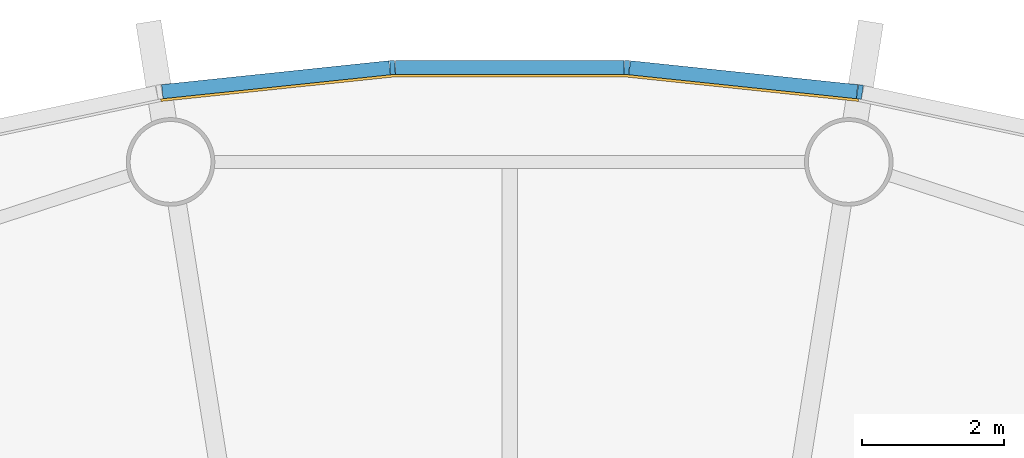
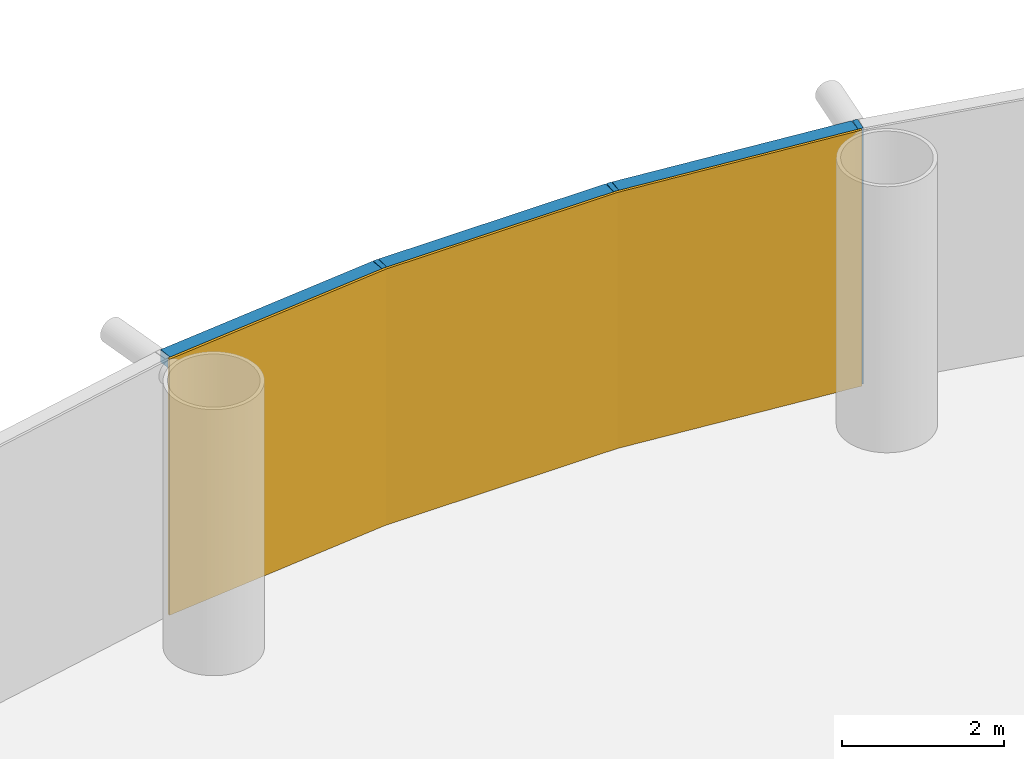
# One storey, part 10 of 12: 6 members, 1 curtain wall.
"""IFC4 building model written with IfcOpenShell, lengths in metres."""

from ifc_helpers import new_model, si_unit, direction, frame, origin, origin_2d, place, context, subcontext, project, spatial, polyline, rectangle, outline, extrude, material, layer, layer_set, material_profile, profile_set, type_object, element, aggregate, save


model = new_model("IFC4")

# Units and contexts
model_context = context("Model", 3, precision=1e-05, world=origin(), true_north=direction((0.0, 1.0)))
body_context = subcontext(model_context, "Body", "Model", "MODEL_VIEW")
ifc_project = project(units=[si_unit("LENGTHUNIT", "METRE"), si_unit("AREAUNIT", "SQUARE_METRE"), si_unit("VOLUMEUNIT", "CUBIC_METRE"), si_unit("PLANEANGLEUNIT", "RADIAN"), si_unit("MASSUNIT", "GRAM", prefix="KILO")], contexts=[model_context])

# Member
ifc_material_1 = material(Name="Anodised aluminium", Category="aluminium")
ifc_material_profile_1 = material_profile(ifc_material_1, rectangle(XDim=0.070068359375, YDim=0.199951171875, at=origin_2d()), Name="Mullion 70 x 200 mm anodised aluminium")
ifc_profile_set_1 = profile_set([ifc_material_profile_1], Name="Anodised aluminium")
member_type_1 = type_object("IfcMemberType", Name="Mullion 70 x 200 mm anodised aluminium", PredefinedType="MULLION", material=ifc_profile_set_1)
site_placement = place(None, origin())
building_placement = place(site_placement, origin())
storey_placement = place(building_placement, frame((0.0, 0.0, 128.0)))
member_1_placement = place(storey_placement, frame((94.943359375, 111.2109375, 0.0), z_axis=(0.0, 0.0, 1.0), x_axis=(-0.987688340595, 0.15643446504, 0.0)))
member_1 = element("IfcMember", 1, at=member_1_placement, type_object=member_type_1, Name="MULLION L29-12", PredefinedType="MULLION", context=body_context, shape_type="SweptSolid", body=[
    extrude(rectangle(XDim=0.070068359375, YDim=0.199951171875, at=origin_2d()), origin(), (0.0, 0.0, 1.0), 3.85009765625),
])

member_2_placement = place(storey_placement, frame((91.65380859375, 111.556640625, 0.0), z_axis=(0.0, 0.0, 1.0), x_axis=(-0.998629534755, 0.052335956243, 0.0)))
member_2 = element("IfcMember", 2, at=member_2_placement, type_object=member_type_1, Name="MULLION L29-13", PredefinedType="MULLION", context=body_context, shape_type="SweptSolid", body=[
    extrude(rectangle(XDim=0.070068359375, YDim=0.199951171875, at=origin_2d()), origin(), (0.0, 0.0, 1.0), 3.85009765625),
])

member_3_placement = place(storey_placement, frame((88.34619140625, 111.556640625, 0.0), z_axis=(0.0, 0.0, 1.0), x_axis=(-0.998629534755, -0.052335956243, 0.0)))
member_3 = element("IfcMember", 3, at=member_3_placement, type_object=member_type_1, Name="MULLION L29-14", PredefinedType="MULLION", context=body_context, shape_type="SweptSolid", body=[
    extrude(rectangle(XDim=0.070068359375, YDim=0.199951171875, at=origin_2d()), origin(), (0.0, 0.0, 1.0), 3.85009765625),
])

ifc_material_2 = material(Name="Anodised aluminium", Category="aluminium")
ifc_material_profile_2 = material_profile(ifc_material_2, rectangle(XDim=0.199951171875, YDim=0.18994140625, at=origin_2d()), Name="Transom 190 x 200 mm anodised aluminium")
ifc_profile_set_2 = profile_set([ifc_material_profile_2], Name="Anodised aluminium")
member_type_2 = type_object("IfcMemberType", Name="Transom 190 x 200 mm anodised aluminium", PredefinedType="USERDEFINED", material=ifc_profile_set_2)
member_4_placement = place(storey_placement, frame((94.9033203125, 111.21533203125, 3.7548828125), z_axis=(-0.994519537956, 0.104550890115, 0.0), x_axis=(-0.104550890115, -0.994519537956, 0.0)))
member_4 = element("IfcMember", 4, at=member_4_placement, type_object=member_type_2, Name="TRANSOM L29-12", ObjectType="TRANSOM", PredefinedType="USERDEFINED", context=body_context, shape_type="SweptSolid", body=[
    extrude(rectangle(XDim=0.199951171875, YDim=0.18994140625, at=origin_2d()), origin(), (0.0, 0.0, 1.0), 3.22705078125),
])

member_5_placement = place(storey_placement, frame((91.613525390625, 111.556884765625, 3.7548828125), z_axis=(-1.0, 0.0, 0.0), x_axis=(0.0, -1.0, 0.0)))
member_5 = element("IfcMember", 5, at=member_5_placement, type_object=member_type_2, Name="TRANSOM L29-13", ObjectType="TRANSOM", PredefinedType="USERDEFINED", context=body_context, shape_type="SweptSolid", body=[
    extrude(rectangle(XDim=0.199951171875, YDim=0.18994140625, at=origin_2d()), origin(), (0.0, 0.0, 1.0), 3.22705078125),
])

member_6_placement = place(storey_placement, frame((88.30615234375, 111.552734375, 3.7548828125), z_axis=(-0.994519537956, -0.104550890115, 0.0), x_axis=(0.104550890115, -0.994519537956, 0.0)))
member_6 = element("IfcMember", 6, at=member_6_placement, type_object=member_type_2, Name="TRANSOM L29-14", ObjectType="TRANSOM", PredefinedType="USERDEFINED", context=body_context, shape_type="SweptSolid", body=[
    extrude(rectangle(XDim=0.199951171875, YDim=0.18994140625, at=origin_2d()), origin(), (0.0, 0.0, 1.0), 3.22705078125),
])

# Site, building, storey
site = spatial("IfcSite", under=ifc_project, at=site_placement, CompositionType="ELEMENT")
building = spatial("IfcBuilding", under=site, at=building_placement, Name="Entoto Ring Tower", CompositionType="ELEMENT")
storey = spatial("IfcBuildingStorey", under=building, at=storey_placement, Name="L29", CompositionType="ELEMENT", Elevation=128.0)

# Curtain wall
ifc_material_3 = material(Name="Clear low-iron glass", Category="glass")
ifc_layer = layer(ifc_material_3, 0.035888671875)
ifc_layer_set = layer_set([ifc_layer], Name="Clear low-iron glass")
curtain_wall_type = type_object("IfcCurtainWallType", Name="Curtain wall system CW2 glazing 36 mm", PredefinedType="NOTDEFINED", material=ifc_layer_set)
curtain_wall_placement = place(storey_placement, origin())
curtain_wall = element("IfcCurtainWall", 7, at=curtain_wall_placement, inside=storey, type_object=curtain_wall_type, Name="CW2 L29-05", PredefinedType="NOTDEFINED", context=body_context, shape_type="SweptSolid", body=[
    extrude(outline(polyline([(94.927734375, 111.1123046875), (91.648681640625, 111.456787109375), (88.351318359375, 111.456787109375), (85.072265625, 111.1123046875), (85.077880859375, 111.07666015625), (88.353271484375, 111.4208984375), (91.646728515625, 111.4208984375), (94.922119140625, 111.07666015625), (94.927734375, 111.1123046875)])), origin(), (0.0, 0.0, 1.0), 3.85009765625),
])

aggregate(curtain_wall, [member_1, member_2, member_3, member_4, member_5, member_6])

save(model, "model.ifc")
